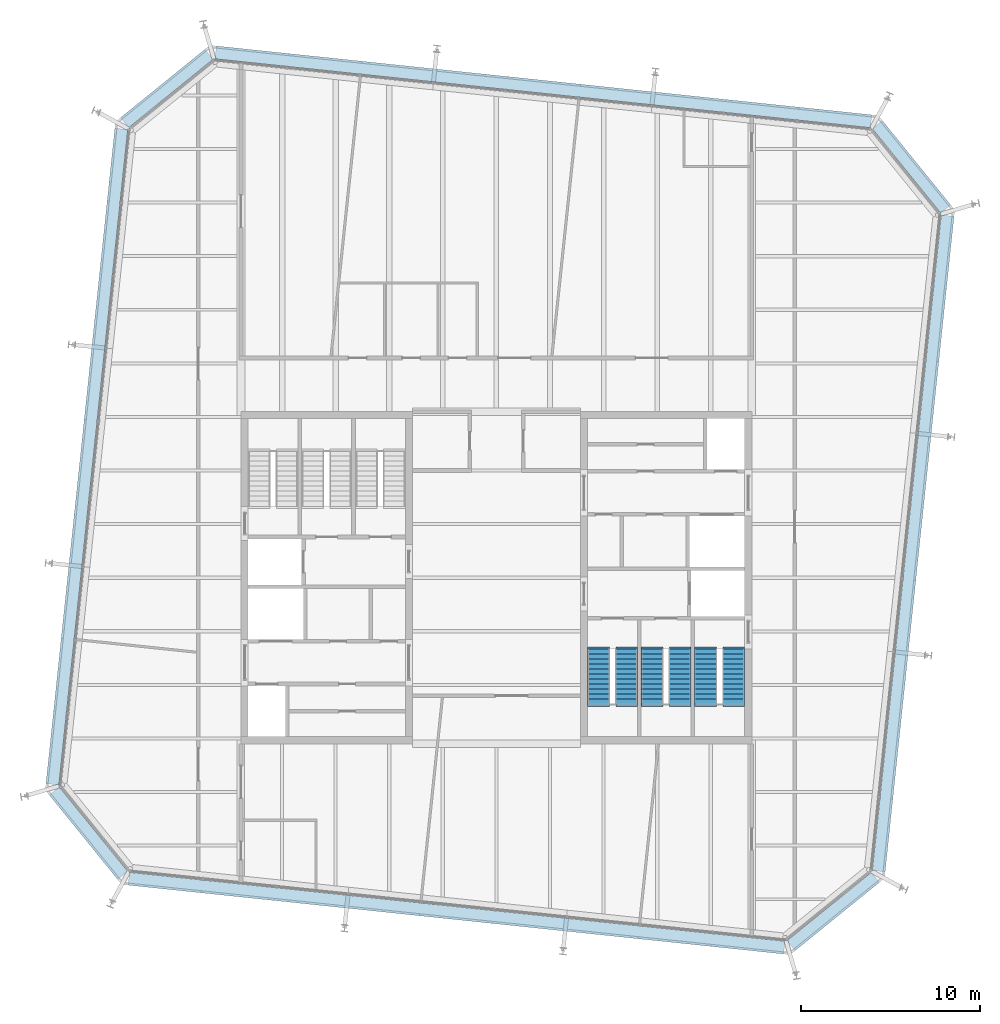
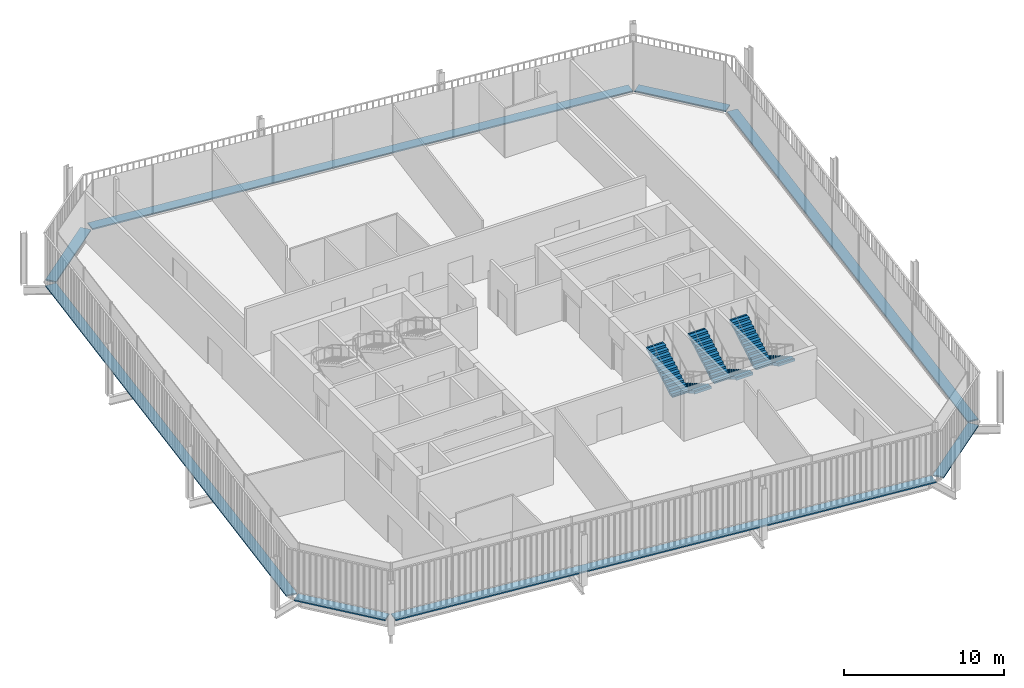
# One storey, part 19 of 20: 8 discrete accessories, 6 stair flights, 3 elements without a shape of their own.
"""IFC4 building model written with IfcOpenShell, lengths in metres."""

from ifc_helpers import new_model, si_unit, direction, frame, origin, origin_2d, place, context, subcontext, project, spatial, polyline, rectangle, outline, extrude, material, type_object, element, aggregate, save


model = new_model("IFC4")

# Units and contexts
model_context = context("Model", 3, precision=1e-05, world=origin(), true_north=direction((0.0, 1.0)))
body_context = subcontext(model_context, "Body", "Model", "MODEL_VIEW")
ifc_project = project(units=[si_unit("LENGTHUNIT", "METRE"), si_unit("AREAUNIT", "SQUARE_METRE"), si_unit("VOLUMEUNIT", "CUBIC_METRE"), si_unit("PLANEANGLEUNIT", "RADIAN"), si_unit("MASSUNIT", "GRAM", prefix="KILO")], contexts=[model_context])

# Site, building, storey
site_placement = place(None, origin())
site = spatial("IfcSite", under=ifc_project, at=site_placement, CompositionType="ELEMENT")
building_placement = place(site_placement, origin())
building = spatial("IfcBuilding", under=site, at=building_placement, Name="Millrace Tower", CompositionType="ELEMENT")
storey_placement = place(building_placement, frame((0.0, 0.0, 303.300048828125)))
storey = spatial("IfcBuildingStorey", under=building, at=storey_placement, Name="L70", CompositionType="ELEMENT", Elevation=303.300048828125)

# Stair, stair flights
ifc_material_1 = material(Name="Concrete C35", Category="concrete")
stair_type = type_object("IfcStairType", Name="Exit stair", PredefinedType="HALF_TURN_STAIR", material=ifc_material_1)
placement = place(storey_placement, origin())
stair_1 = element("IfcStair", 1, at=placement, inside=storey, type_object=stair_type, Name="Stair 1 E L70", PredefinedType="HALF_TURN_STAIR")
ifc_material_2 = material(Name="Concrete C35", Category="concrete")
stair_flight_type = type_object("IfcStairFlightType", Name="Exit stair flight", PredefinedType="STRAIGHT", material=ifc_material_2)
stair_flight_1_placement = place(storey_placement, frame((13.2900390625, -4.0, 0.0), z_axis=(0.0, 0.0, 1.0), x_axis=(0.0, -1.0, 0.0)))
stair_flight_1 = element("IfcStairFlight", 2, at=stair_flight_1_placement, type_object=stair_flight_type, Name="ST12 flight 1", NumberOfRisers=12, NumberOfTreads=11, PredefinedType="STRAIGHT", RiserHeight=0.1625, TreadLength=0.28, context=body_context, shape_type="SweptSolid", body=[
    extrude(outline(polyline([(-0.1201171875, -0.0400390625), (-0.1201171875, 0.0), (0.0, 0.0), (0.0, 0.16259765625), (0.280029296875, 0.16259765625), (0.280029296875, 0.324951171875), (0.56005859375, 0.324951171875), (0.56005859375, 0.487548828125), (0.840087890625, 0.487548828125), (0.840087890625, 0.64990234375), (1.1201171875, 0.64990234375), (1.1201171875, 0.8125), (1.39990234375, 0.8125), (1.39990234375, 0.97509765625), (1.679931640625, 0.97509765625), (1.679931640625, 1.137451171875), (1.9599609375, 1.137451171875), (1.9599609375, 1.300048828125), (2.239990234375, 1.300048828125), (2.239990234375, 1.46240234375), (2.52001953125, 1.46240234375), (2.52001953125, 1.625), (2.800048828125, 1.625), (2.800048828125, 1.78759765625), (3.080078125, 1.78759765625), (3.080078125, 1.8076171875), (3.199951171875, 1.8076171875), (3.199951171875, 1.6142578125), (3.080078125, 1.6142578125), (0.298583984375, 0.0), (0.298583984375, -0.0400390625), (-0.1201171875, -0.0400390625)])), frame((0.0, 0.60986328125, 0.0), z_axis=(0.0, -1.0, 0.0), x_axis=(1.0, 0.0, 0.0)), (0.0, 0.0, 1.0), 1.219970703125),
])
stair_flight_2_placement = place(storey_placement, frame((11.7099609375, -7.080078125, 1.949951171875), z_axis=(0.0, 0.0, 1.0), x_axis=(0.0, 1.0, 0.0)))
stair_flight_2 = element("IfcStairFlight", 3, at=stair_flight_2_placement, type_object=stair_flight_type, Name="ST12 flight 2", NumberOfRisers=12, NumberOfTreads=11, PredefinedType="STRAIGHT", RiserHeight=0.1625, TreadLength=0.28, context=body_context, shape_type="SweptSolid", body=[
    extrude(outline(polyline([(-0.1201171875, -0.0400390625), (-0.1201171875, 0.0), (0.0, 0.0), (0.0, 0.16259765625), (0.280029296875, 0.16259765625), (0.280029296875, 0.324951171875), (0.56005859375, 0.324951171875), (0.56005859375, 0.487548828125), (0.840087890625, 0.487548828125), (0.840087890625, 0.64990234375), (1.1201171875, 0.64990234375), (1.1201171875, 0.8125), (1.39990234375, 0.8125), (1.39990234375, 0.97509765625), (1.679931640625, 0.97509765625), (1.679931640625, 1.137451171875), (1.9599609375, 1.137451171875), (1.9599609375, 1.300048828125), (2.239990234375, 1.300048828125), (2.239990234375, 1.46240234375), (2.52001953125, 1.46240234375), (2.52001953125, 1.625), (2.800048828125, 1.625), (2.800048828125, 1.78759765625), (3.080078125, 1.78759765625), (3.080078125, 1.8076171875), (3.199951171875, 1.8076171875), (3.199951171875, 1.6142578125), (3.080078125, 1.6142578125), (0.298583984375, 0.0), (0.298583984375, -0.0400390625), (-0.1201171875, -0.0400390625)])), frame((0.0, 0.60986328125, 0.0), z_axis=(0.0, -1.0, 0.0), x_axis=(1.0, 0.0, 0.0)), (0.0, 0.0, 1.0), 1.219970703125),
])
aggregate(stair_1, [stair_flight_1, stair_flight_2])

stair_2 = element("IfcStair", 4, at=placement, inside=storey, type_object=stair_type, Name="Stair 2 E L70", PredefinedType="HALF_TURN_STAIR")
stair_flight_3_placement = place(storey_placement, frame((10.2900390625, -4.0, 0.0), z_axis=(0.0, 0.0, 1.0), x_axis=(0.0, -1.0, 0.0)))
stair_flight_3 = element("IfcStairFlight", 5, at=stair_flight_3_placement, type_object=stair_flight_type, Name="ST12 flight 1", NumberOfRisers=12, NumberOfTreads=11, PredefinedType="STRAIGHT", RiserHeight=0.1625, TreadLength=0.28, context=body_context, shape_type="SweptSolid", body=[
    extrude(outline(polyline([(-0.1201171875, -0.0400390625), (-0.1201171875, 0.0), (0.0, 0.0), (0.0, 0.16259765625), (0.280029296875, 0.16259765625), (0.280029296875, 0.324951171875), (0.56005859375, 0.324951171875), (0.56005859375, 0.487548828125), (0.840087890625, 0.487548828125), (0.840087890625, 0.64990234375), (1.1201171875, 0.64990234375), (1.1201171875, 0.8125), (1.39990234375, 0.8125), (1.39990234375, 0.97509765625), (1.679931640625, 0.97509765625), (1.679931640625, 1.137451171875), (1.9599609375, 1.137451171875), (1.9599609375, 1.300048828125), (2.239990234375, 1.300048828125), (2.239990234375, 1.46240234375), (2.52001953125, 1.46240234375), (2.52001953125, 1.625), (2.800048828125, 1.625), (2.800048828125, 1.78759765625), (3.080078125, 1.78759765625), (3.080078125, 1.8076171875), (3.199951171875, 1.8076171875), (3.199951171875, 1.6142578125), (3.080078125, 1.6142578125), (0.298583984375, 0.0), (0.298583984375, -0.0400390625), (-0.1201171875, -0.0400390625)])), frame((0.0, 0.60986328125, 0.0), z_axis=(0.0, -1.0, 0.0), x_axis=(1.0, 0.0, 0.0)), (0.0, 0.0, 1.0), 1.219970703125),
])
stair_flight_4_placement = place(storey_placement, frame((8.7099609375, -7.080078125, 1.949951171875), z_axis=(0.0, 0.0, 1.0), x_axis=(0.0, 1.0, 0.0)))
stair_flight_4 = element("IfcStairFlight", 6, at=stair_flight_4_placement, type_object=stair_flight_type, Name="ST12 flight 2", NumberOfRisers=12, NumberOfTreads=11, PredefinedType="STRAIGHT", RiserHeight=0.1625, TreadLength=0.28, context=body_context, shape_type="SweptSolid", body=[
    extrude(outline(polyline([(-0.1201171875, -0.0400390625), (-0.1201171875, 0.0), (0.0, 0.0), (0.0, 0.16259765625), (0.280029296875, 0.16259765625), (0.280029296875, 0.324951171875), (0.56005859375, 0.324951171875), (0.56005859375, 0.487548828125), (0.840087890625, 0.487548828125), (0.840087890625, 0.64990234375), (1.1201171875, 0.64990234375), (1.1201171875, 0.8125), (1.39990234375, 0.8125), (1.39990234375, 0.97509765625), (1.679931640625, 0.97509765625), (1.679931640625, 1.137451171875), (1.9599609375, 1.137451171875), (1.9599609375, 1.300048828125), (2.239990234375, 1.300048828125), (2.239990234375, 1.46240234375), (2.52001953125, 1.46240234375), (2.52001953125, 1.625), (2.800048828125, 1.625), (2.800048828125, 1.78759765625), (3.080078125, 1.78759765625), (3.080078125, 1.8076171875), (3.199951171875, 1.8076171875), (3.199951171875, 1.6142578125), (3.080078125, 1.6142578125), (0.298583984375, 0.0), (0.298583984375, -0.0400390625), (-0.1201171875, -0.0400390625)])), frame((0.0, 0.60986328125, 0.0), z_axis=(0.0, -1.0, 0.0), x_axis=(1.0, 0.0, 0.0)), (0.0, 0.0, 1.0), 1.219970703125),
])
aggregate(stair_2, [stair_flight_3, stair_flight_4])

stair_3 = element("IfcStair", 7, at=placement, inside=storey, type_object=stair_type, Name="Stair 3 E L70", PredefinedType="HALF_TURN_STAIR")
stair_flight_5_placement = place(storey_placement, frame((7.2900390625, -4.0, 0.0), z_axis=(0.0, 0.0, 1.0), x_axis=(0.0, -1.0, 0.0)))
stair_flight_5 = element("IfcStairFlight", 8, at=stair_flight_5_placement, type_object=stair_flight_type, Name="ST12 flight 1", NumberOfRisers=12, NumberOfTreads=11, PredefinedType="STRAIGHT", RiserHeight=0.1625, TreadLength=0.28, context=body_context, shape_type="SweptSolid", body=[
    extrude(outline(polyline([(-0.1201171875, -0.0400390625), (-0.1201171875, 0.0), (0.0, 0.0), (0.0, 0.16259765625), (0.280029296875, 0.16259765625), (0.280029296875, 0.324951171875), (0.56005859375, 0.324951171875), (0.56005859375, 0.487548828125), (0.840087890625, 0.487548828125), (0.840087890625, 0.64990234375), (1.1201171875, 0.64990234375), (1.1201171875, 0.8125), (1.39990234375, 0.8125), (1.39990234375, 0.97509765625), (1.679931640625, 0.97509765625), (1.679931640625, 1.137451171875), (1.9599609375, 1.137451171875), (1.9599609375, 1.300048828125), (2.239990234375, 1.300048828125), (2.239990234375, 1.46240234375), (2.52001953125, 1.46240234375), (2.52001953125, 1.625), (2.800048828125, 1.625), (2.800048828125, 1.78759765625), (3.080078125, 1.78759765625), (3.080078125, 1.8076171875), (3.199951171875, 1.8076171875), (3.199951171875, 1.6142578125), (3.080078125, 1.6142578125), (0.298583984375, 0.0), (0.298583984375, -0.0400390625), (-0.1201171875, -0.0400390625)])), frame((0.0, 0.60986328125, 0.0), z_axis=(0.0, -1.0, 0.0), x_axis=(1.0, 0.0, 0.0)), (0.0, 0.0, 1.0), 1.219970703125),
])
stair_flight_6_placement = place(storey_placement, frame((5.7099609375, -7.080078125, 1.949951171875), z_axis=(0.0, 0.0, 1.0), x_axis=(0.0, 1.0, 0.0)))
stair_flight_6 = element("IfcStairFlight", 9, at=stair_flight_6_placement, type_object=stair_flight_type, Name="ST12 flight 2", NumberOfRisers=12, NumberOfTreads=11, PredefinedType="STRAIGHT", RiserHeight=0.1625, TreadLength=0.28, context=body_context, shape_type="SweptSolid", body=[
    extrude(outline(polyline([(-0.1201171875, -0.0400390625), (-0.1201171875, 0.0), (0.0, 0.0), (0.0, 0.16259765625), (0.280029296875, 0.16259765625), (0.280029296875, 0.324951171875), (0.56005859375, 0.324951171875), (0.56005859375, 0.487548828125), (0.840087890625, 0.487548828125), (0.840087890625, 0.64990234375), (1.1201171875, 0.64990234375), (1.1201171875, 0.8125), (1.39990234375, 0.8125), (1.39990234375, 0.97509765625), (1.679931640625, 0.97509765625), (1.679931640625, 1.137451171875), (1.9599609375, 1.137451171875), (1.9599609375, 1.300048828125), (2.239990234375, 1.300048828125), (2.239990234375, 1.46240234375), (2.52001953125, 1.46240234375), (2.52001953125, 1.625), (2.800048828125, 1.625), (2.800048828125, 1.78759765625), (3.080078125, 1.78759765625), (3.080078125, 1.8076171875), (3.199951171875, 1.8076171875), (3.199951171875, 1.6142578125), (3.080078125, 1.6142578125), (0.298583984375, 0.0), (0.298583984375, -0.0400390625), (-0.1201171875, -0.0400390625)])), frame((0.0, 0.60986328125, 0.0), z_axis=(0.0, -1.0, 0.0), x_axis=(1.0, 0.0, 0.0)), (0.0, 0.0, 1.0), 1.219970703125),
])
aggregate(stair_3, [stair_flight_5, stair_flight_6])

# Discrete accessories
ifc_material_3 = material(Name="Stainless steel ASTM A240 type 316", Category="steel")
discrete_accessory_type = type_object("IfcDiscreteAccessoryType", Name="Thermally broken screen support rail", PredefinedType="BRACKET", material=ifc_material_3)
discrete_accessory_1_placement = place(storey_placement, frame((-22.836669921875, -14.304931640625, 0.0), z_axis=(0.0, 0.0, 1.0), x_axis=(0.629320278945, -0.777146052237, 0.0)))
element("IfcDiscreteAccessory", 10, at=discrete_accessory_1_placement, inside=storey, type_object=discrete_accessory_type, Name="Thermally broken screen support rail E-F01 L70 1", PredefinedType="BRACKET", context=body_context, shape_type="SweptSolid", body=[
    extrude(rectangle(XDim=6.0810546875, YDim=0.719970703125, at=origin_2d()), origin(), (0.0, 0.0, 1.0), 0.10009765625),
])
discrete_accessory_2_placement = place(storey_placement, frame((-2.2314453125, -18.782470703125, 0.0), z_axis=(0.0, 0.0, 1.0), x_axis=(0.994521896217, -0.104528455196, 0.0)))
element("IfcDiscreteAccessory", 11, at=discrete_accessory_2_placement, inside=storey, type_object=discrete_accessory_type, Name="Thermally broken screen support rail E-F02 L70 1", PredefinedType="BRACKET", context=body_context, shape_type="SweptSolid", body=[
    extrude(rectangle(XDim=36.89990234375, YDim=0.719970703125, at=origin_2d()), origin(), (0.0, 0.0, 1.0), 0.10009765625),
])
discrete_accessory_3_placement = place(storey_placement, frame((18.854736328125, -18.686767578125, 0.0), z_axis=(0.0, 0.0, 1.0), x_axis=(0.777146052237, 0.629320278945, 0.0)))
element("IfcDiscreteAccessory", 12, at=discrete_accessory_3_placement, inside=storey, type_object=discrete_accessory_type, Name="Thermally broken screen support rail E-F03 L70 1", PredefinedType="BRACKET", context=body_context, shape_type="SweptSolid", body=[
    extrude(rectangle(XDim=6.0810546875, YDim=0.719970703125, at=origin_2d()), origin(), (0.0, 0.0, 1.0), 0.10009765625),
])
discrete_accessory_4_placement = place(storey_placement, frame((23.33251953125, 1.918701171875, 0.0), z_axis=(0.0, 0.0, 1.0), x_axis=(0.104528455196, 0.994521896217, 0.0)))
element("IfcDiscreteAccessory", 13, at=discrete_accessory_4_placement, inside=storey, type_object=discrete_accessory_type, Name="Thermally broken screen support rail E-F04 L70 1", PredefinedType="BRACKET", context=body_context, shape_type="SweptSolid", body=[
    extrude(rectangle(XDim=36.89990234375, YDim=0.719970703125, at=origin_2d()), origin(), (0.0, 0.0, 1.0), 0.10009765625),
])
discrete_accessory_5_placement = place(storey_placement, frame((23.23681640625, 23.0048828125, 0.0), z_axis=(0.0, 0.0, 1.0), x_axis=(-0.629320278945, 0.777146052237, 0.0)))
element("IfcDiscreteAccessory", 14, at=discrete_accessory_5_placement, inside=storey, type_object=discrete_accessory_type, Name="Thermally broken screen support rail E-F05 L70 1", PredefinedType="BRACKET", context=body_context, shape_type="SweptSolid", body=[
    extrude(rectangle(XDim=6.0810546875, YDim=0.719970703125, at=origin_2d()), origin(), (0.0, 0.0, 1.0), 0.10009765625),
])
discrete_accessory_6_placement = place(storey_placement, frame((2.63134765625, 27.482666015625, 0.0), z_axis=(0.0, 0.0, 1.0), x_axis=(-0.994521896217, 0.104528455196, 0.0)))
element("IfcDiscreteAccessory", 15, at=discrete_accessory_6_placement, inside=storey, type_object=discrete_accessory_type, Name="Thermally broken screen support rail E-F06 L70 1", PredefinedType="BRACKET", context=body_context, shape_type="SweptSolid", body=[
    extrude(rectangle(XDim=36.89990234375, YDim=0.719970703125, at=origin_2d()), origin(), (0.0, 0.0, 1.0), 0.10009765625),
])
discrete_accessory_7_placement = place(storey_placement, frame((-18.454833984375, 27.38671875, 0.0), z_axis=(0.0, 0.0, 1.0), x_axis=(-0.777146052237, -0.629320278945, 0.0)))
element("IfcDiscreteAccessory", 16, at=discrete_accessory_7_placement, inside=storey, type_object=discrete_accessory_type, Name="Thermally broken screen support rail E-F07 L70 1", PredefinedType="BRACKET", context=body_context, shape_type="SweptSolid", body=[
    extrude(rectangle(XDim=6.0810546875, YDim=0.719970703125, at=origin_2d()), origin(), (0.0, 0.0, 1.0), 0.10009765625),
])
discrete_accessory_8_placement = place(storey_placement, frame((-22.9326171875, 6.78125, 0.0), z_axis=(0.0, 0.0, 1.0), x_axis=(-0.104528455196, -0.994521896217, 0.0)))
element("IfcDiscreteAccessory", 17, at=discrete_accessory_8_placement, inside=storey, type_object=discrete_accessory_type, Name="Thermally broken screen support rail E-F08 L70 1", PredefinedType="BRACKET", context=body_context, shape_type="SweptSolid", body=[
    extrude(rectangle(XDim=36.89990234375, YDim=0.719970703125, at=origin_2d()), origin(), (0.0, 0.0, 1.0), 0.10009765625),
])

save(model, "model.ifc")
